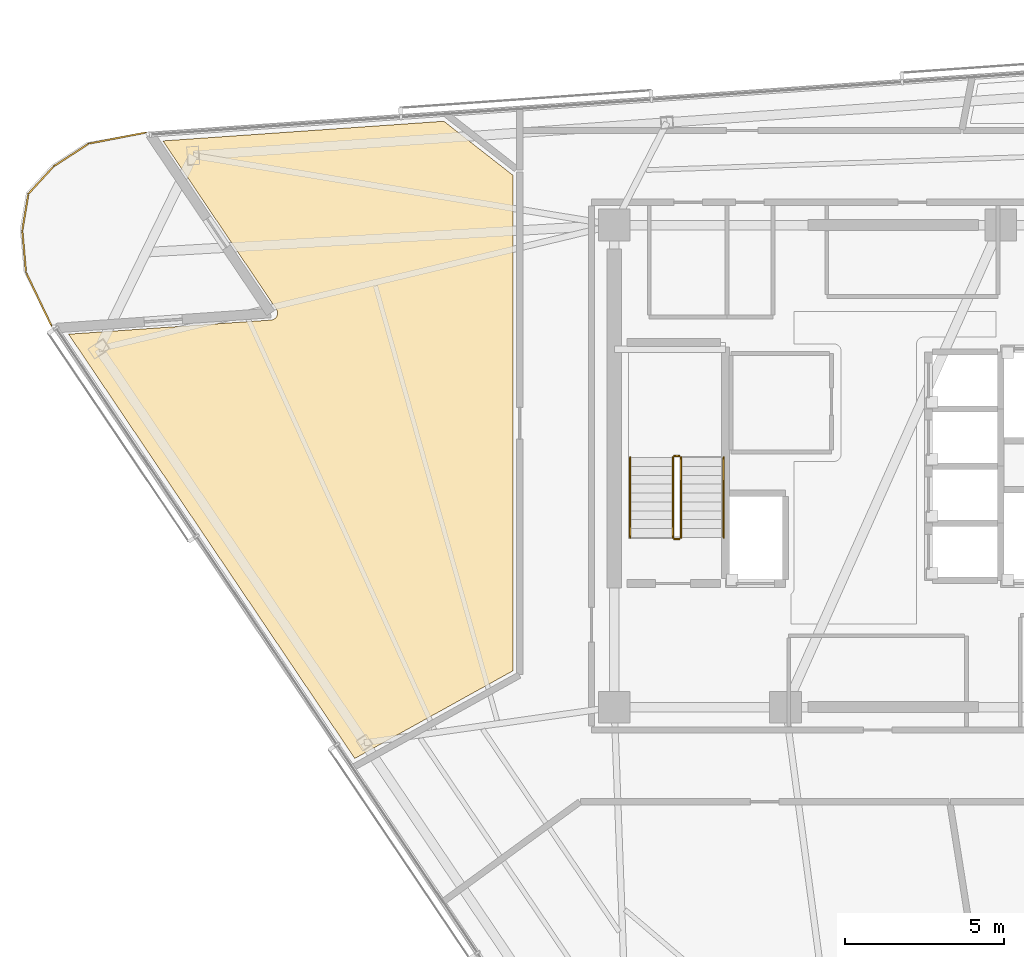
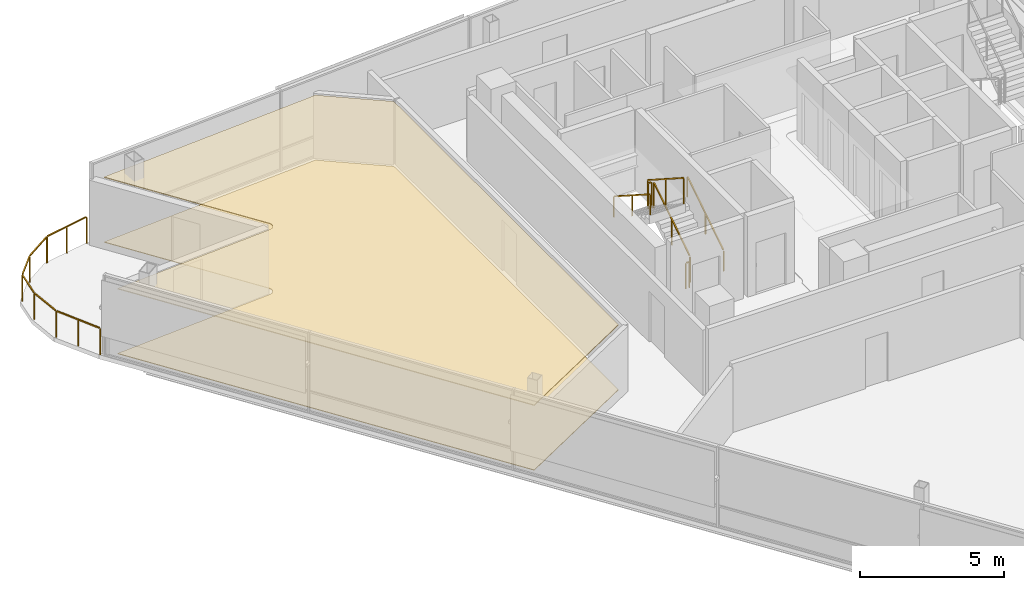
# One storey, part 13 of 15: 7 railings, 2 coverings.
"""IFC4 building model written with IfcOpenShell, lengths in metres."""

from ifc_helpers import new_model, si_unit, direction, frame, origin, origin_2d, place, context, subcontext, project, spatial, polyline, rectangle, outline, extrude, material, layer, layer_set, type_object, element, save


model = new_model("IFC4")

# Units and contexts
model_context = context("Model", 3, precision=1e-05, world=origin(), true_north=direction((0.0, 1.0)))
body_context = subcontext(model_context, "Body", "Model", "MODEL_VIEW")
ifc_project = project(units=[si_unit("LENGTHUNIT", "METRE"), si_unit("AREAUNIT", "SQUARE_METRE"), si_unit("VOLUMEUNIT", "CUBIC_METRE"), si_unit("PLANEANGLEUNIT", "RADIAN"), si_unit("MASSUNIT", "GRAM", prefix="KILO")], contexts=[model_context])

# Site, building, storey
site_placement = place(None, origin())
site = spatial("IfcSite", under=ifc_project, at=site_placement, CompositionType="ELEMENT")
building_placement = place(site_placement, origin())
building = spatial("IfcBuilding", under=site, at=building_placement, Name="Tharavind Bronze Gate", CompositionType="ELEMENT")
storey_placement = place(building_placement, frame((0.0, 0.0, 267.800048828125)))
storey = spatial("IfcBuildingStorey", under=building, at=storey_placement, Name="L69", CompositionType="ELEMENT", Elevation=267.800048828125)

# Coverings
ifc_material_1 = material(Name="Engineered Oak & Carpet Tile", Category="wood")
ifc_layer_1 = layer(ifc_material_1, 0.02490234375)
ifc_layer_set_1 = layer_set([ifc_layer_1], Name="Engineered Oak & Carpet Tile")
covering_type_1 = type_object("IfcCoveringType", Name="ENGINEERED TIMBER FLOORING", PredefinedType="FLOORING", material=ifc_layer_set_1)
covering_1_placement = place(storey_placement, origin())
element("IfcCovering", 1, at=covering_1_placement, inside=storey, type_object=covering_type_1, Name="L69-RM-03 floor finish", PredefinedType="FLOORING", context=body_context, shape_type="SweptSolid", body=[
    extrude(outline(polyline([(-17.08056640625, -9.21630859375), (-12.10009765625, -6.45556640625), (-12.10009765625, 9.17431640625), (-14.2734375, 10.87255859375), (-23.13037109375, 10.253173828125), (-19.552490234375, 4.94873046875), (-19.546630859375, 4.939453125), (-19.54638671875, 4.93896484375), (-19.535888671875, 4.919677734375), (-19.52734375, 4.8994140625), (-19.52099609375, 4.87841796875), (-19.516845703125, 4.85693359375), (-19.514892578125, 4.835205078125), (-19.514892578125, 4.813232421875), (-19.51708984375, 4.79150390625), (-19.521484375, 4.77001953125), (-19.5283203125, 4.7490234375), (-19.536865234375, 4.728759765625), (-19.54736328125, 4.709716796875), (-19.559814453125, 4.69140625), (-19.573974609375, 4.6748046875), (-19.58984375, 4.65966796875), (-19.60693359375, 4.64599609375), (-19.62548828125, 4.63427734375), (-19.64501953125, 4.624267578125), (-19.66552734375, 4.6162109375), (-19.686767578125, 4.610595703125), (-19.708251953125, 4.606689453125), (-19.708984375, 4.606689453125), (-19.7197265625, 4.605712890625), (-26.1025390625, 4.1591796875), (-17.08056640625, -9.21630859375)])), origin(), (0.0, 0.0, 1.0), 0.02490234375),
])
ifc_material_2 = material(Name="Acoustic Gypsum Board", Category="gypsum")
ifc_layer_2 = layer(ifc_material_2, 0.030029296875)
ifc_layer_set_2 = layer_set([ifc_layer_2], Name="Acoustic Gypsum Board")
covering_type_2 = type_object("IfcCoveringType", Name="GYPSUM SUSPENDED CEILING", PredefinedType="CEILING", material=ifc_layer_set_2)
covering_2_placement = place(storey_placement, frame((0.0, 0.0, 2.75)))
element("IfcCovering", 2, at=covering_2_placement, inside=storey, type_object=covering_type_2, Name="L69-RM-03 suspended ceiling", PredefinedType="CEILING", context=body_context, shape_type="SweptSolid", body=[
    extrude(outline(polyline([(-17.08056640625, -9.21630859375), (-12.10009765625, -6.45556640625), (-12.10009765625, 9.17431640625), (-14.2734375, 10.87255859375), (-23.13037109375, 10.253173828125), (-19.552490234375, 4.94873046875), (-19.546630859375, 4.939453125), (-19.54638671875, 4.93896484375), (-19.535888671875, 4.919677734375), (-19.52734375, 4.8994140625), (-19.52099609375, 4.87841796875), (-19.516845703125, 4.85693359375), (-19.514892578125, 4.835205078125), (-19.514892578125, 4.813232421875), (-19.51708984375, 4.79150390625), (-19.521484375, 4.77001953125), (-19.5283203125, 4.7490234375), (-19.536865234375, 4.728759765625), (-19.54736328125, 4.709716796875), (-19.559814453125, 4.69140625), (-19.573974609375, 4.6748046875), (-19.58984375, 4.65966796875), (-19.60693359375, 4.64599609375), (-19.62548828125, 4.63427734375), (-19.64501953125, 4.624267578125), (-19.66552734375, 4.6162109375), (-19.686767578125, 4.610595703125), (-19.708251953125, 4.606689453125), (-19.708984375, 4.606689453125), (-19.7197265625, 4.605712890625), (-26.1025390625, 4.1591796875), (-17.08056640625, -9.21630859375)])), origin(), (0.0, 0.0, 1.0), 0.034912109375),
])

# Railings
ifc_material_3 = material(Name="Brushed Bronze Alloy", Category="metal")
railing_type_1 = type_object("IfcRailingType", Name="STAIR BRONZE HANDRAIL 900", PredefinedType="HANDRAIL", material=ifc_material_3)
railing_1_placement = place(storey_placement, frame((-5.449951171875, -2.25, 0.179931640625)))
element("IfcRailing", 3, at=railing_1_placement, inside=storey, type_object=railing_type_1, Name="L69 ST1 stair handrail 1", PredefinedType="HANDRAIL", context=body_context, shape_type="SweptSolid", body=[
    extrude(rectangle(XDim=0.048095703125, YDim=0.048095703125, at=origin_2d()), frame((0.0, 0.02685546875, 0.89306640625), z_axis=(0.0, 0.841162588446, 0.540782303519), x_axis=(-1.0, 0.0, 0.0)), (0.0, 0.0, 1.0), 2.931884765625),
    extrude(rectangle(XDim=0.0400390625, YDim=0.0400390625, at=origin_2d()), origin(), (0.0, 0.0, 1.0), 0.847900390625),
    extrude(rectangle(XDim=0.0400390625, YDim=0.0400390625, at=origin_2d()), frame((0.0, 1.260009765625, 0.81005859375)), (0.0, 0.0, 1.0), 0.847900390625),
    extrude(rectangle(XDim=0.0400390625, YDim=0.0400390625, at=origin_2d()), frame((0.0, 2.52001953125, 1.6201171875)), (0.0, 0.0, 1.0), 0.847900390625),
])
railing_2_placement = place(storey_placement, frame((-8.39990234375, 0.27001953125, 1.97998046875)))
element("IfcRailing", 4, at=railing_2_placement, inside=storey, type_object=railing_type_1, Name="L69 ST1 stair handrail 2", PredefinedType="HANDRAIL", context=body_context, shape_type="SweptSolid", body=[
    extrude(rectangle(XDim=0.048095703125, YDim=0.048095703125, at=origin_2d()), frame((0.0, -0.02685546875, 0.89306640625), z_axis=(0.0, -0.841199657755, 0.540724639528), x_axis=(1.0, 0.0, 0.0)), (0.0, 0.0, 1.0), 2.931640625),
    extrude(rectangle(XDim=0.0400390625, YDim=0.0400390625, at=origin_2d()), origin(), (0.0, 0.0, 1.0), 0.847900390625),
    extrude(rectangle(XDim=0.0400390625, YDim=0.0400390625, at=origin_2d()), frame((0.0, -1.260009765625, 0.81005859375)), (0.0, 0.0, 1.0), 0.847900390625),
    extrude(rectangle(XDim=0.0400390625, YDim=0.0400390625, at=origin_2d()), frame((0.0, -2.52001953125, 1.619873046875)), (0.0, 0.0, 1.0), 0.847900390625),
])
railing_type_2 = type_object("IfcRailingType", Name="STAIR WELL GUARD RAILING 1120", PredefinedType="GUARDRAIL", material=ifc_material_3)
railing_3_placement = place(storey_placement, frame((-6.800048828125, -2.25, 0.179931640625)))
element("IfcRailing", 5, at=railing_3_placement, inside=storey, type_object=railing_type_2, Name="L69 ST1 stair guard 1", PredefinedType="GUARDRAIL", context=body_context, shape_type="SweptSolid", body=[
    extrude(rectangle(XDim=0.048095703125, YDim=0.048095703125, at=origin_2d()), frame((0.0, 0.02685546875, 1.11328125), z_axis=(0.0, 0.841162588446, 0.540782303519), x_axis=(-1.0, 0.0, 0.0)), (0.0, 0.0, 1.0), 2.931884765625),
    extrude(rectangle(XDim=0.0400390625, YDim=0.0400390625, at=origin_2d()), origin(), (0.0, 0.0, 1.0), 1.068115234375),
    extrude(rectangle(XDim=0.0400390625, YDim=0.0400390625, at=origin_2d()), frame((0.0, 1.260009765625, 0.81005859375)), (0.0, 0.0, 1.0), 1.068115234375),
    extrude(rectangle(XDim=0.0400390625, YDim=0.0400390625, at=origin_2d()), frame((0.0, 2.52001953125, 1.6201171875)), (0.0, 0.0, 1.0), 1.068115234375),
])
railing_4_placement = place(storey_placement, frame((-6.85009765625, 0.320068359375, 1.800048828125)))
element("IfcRailing", 6, at=railing_4_placement, inside=storey, type_object=railing_type_2, Name="L69 ST1 stair guard 2", PredefinedType="GUARDRAIL", context=body_context, shape_type="SweptSolid", body=[
    extrude(rectangle(XDim=0.048095703125, YDim=0.048095703125, at=origin_2d()), frame((-0.031982421875, 0.0, 1.09619140625), z_axis=(-1.0, 0.0, 0.0), x_axis=(0.0, -1.0, 0.0)), (0.0, 0.0, 1.0), 0.0859375),
    extrude(rectangle(XDim=0.0400390625, YDim=0.0400390625, at=origin_2d()), origin(), (0.0, 0.0, 1.0), 1.068115234375),
    extrude(rectangle(XDim=0.0400390625, YDim=0.0400390625, at=origin_2d()), frame((-0.14990234375, 0.0, 0.0)), (0.0, 0.0, 1.0), 1.068115234375),
])
railing_5_placement = place(storey_placement, frame((-7.050048828125, 0.27001953125, 1.97998046875)))
element("IfcRailing", 7, at=railing_5_placement, inside=storey, type_object=railing_type_2, Name="L69 ST1 stair guard 3", PredefinedType="GUARDRAIL", context=body_context, shape_type="SweptSolid", body=[
    extrude(rectangle(XDim=0.048095703125, YDim=0.048095703125, at=origin_2d()), frame((0.0, -0.02685546875, 1.11328125), z_axis=(0.0, -0.841199657755, 0.540724639528), x_axis=(1.0, 0.0, 0.0)), (0.0, 0.0, 1.0), 2.931640625),
    extrude(rectangle(XDim=0.0400390625, YDim=0.0400390625, at=origin_2d()), origin(), (0.0, 0.0, 1.0), 1.068115234375),
    extrude(rectangle(XDim=0.0400390625, YDim=0.0400390625, at=origin_2d()), frame((0.0, -1.260009765625, 0.81005859375)), (0.0, 0.0, 1.0), 1.068115234375),
    extrude(rectangle(XDim=0.0400390625, YDim=0.0400390625, at=origin_2d()), frame((0.0, -2.52001953125, 1.619873046875)), (0.0, 0.0, 1.0), 1.068115234375),
])
railing_6_placement = place(storey_placement, frame((-6.85009765625, -2.300048828125, 0.0)))
element("IfcRailing", 8, at=railing_6_placement, inside=storey, type_object=railing_type_2, Name="L69 ST1 stair guard 4", PredefinedType="GUARDRAIL", context=body_context, shape_type="SweptSolid", body=[
    extrude(rectangle(XDim=0.048095703125, YDim=0.048095703125, at=origin_2d()), frame((-0.031982421875, 0.0, 1.09619140625), z_axis=(-1.0, 0.0, 0.0), x_axis=(0.0, -1.0, 0.0)), (0.0, 0.0, 1.0), 0.0859375),
    extrude(rectangle(XDim=0.0400390625, YDim=0.0400390625, at=origin_2d()), origin(), (0.0, 0.0, 1.0), 1.068115234375),
    extrude(rectangle(XDim=0.0400390625, YDim=0.0400390625, at=origin_2d()), frame((-0.14990234375, 0.0, 0.0)), (0.0, 0.0, 1.0), 1.068115234375),
])
ifc_material_4 = material(Name="Bronze Cap & Laminated Glass", Category="glass")
railing_type_3 = type_object("IfcRailingType", Name="TERRACE GLASS GUARD RAILING 1150", PredefinedType="GUARDRAIL", material=ifc_material_4)
railing_7_placement = place(storey_placement, frame((-26.641845703125, 4.42236328125, 0.0)))
element("IfcRailing", 9, at=railing_7_placement, inside=storey, type_object=railing_type_3, Name="L69 tree balcony guard railing", PredefinedType="GUARDRAIL", context=body_context, shape_type="SweptSolid", body=[
    extrude(rectangle(XDim=0.048095703125, YDim=0.048095703125, at=origin_2d()), frame((-0.013671875, 0.02880859375, 1.1259765625), z_axis=(-0.430751391527, 0.902470630379, 0.0), x_axis=(-0.902470630379, -0.430751391527, 0.0)), (0.0, 0.0, 1.0), 1.80126953125),
    extrude(rectangle(XDim=0.048095703125, YDim=0.048095703125, at=origin_2d()), frame((-0.806396484375, 1.71533203125, 1.1259765625), z_axis=(-0.089334965903, 0.996001638486, 0.0), x_axis=(-0.996001638486, -0.089334965903, 0.0)), (0.0, 0.0, 1.0), 1.255859375),
    extrude(rectangle(XDim=0.048095703125, YDim=0.048095703125, at=origin_2d()), frame((-0.916259765625, 3.029541015625, 1.1259765625), z_axis=(0.162720183317, 0.986672256599, 0.0), x_axis=(-0.986672256599, 0.162720183317, 0.0)), (0.0, 0.0, 1.0), 1.115234375),
    extrude(rectangle(XDim=0.048095703125, YDim=0.048095703125, at=origin_2d()), frame((-0.707763671875, 4.18505859375, 1.1259765625), z_axis=(0.677316588689, 0.735691673656, 0.0), x_axis=(-0.735691673656, 0.677316588689, 0.0)), (0.0, 0.0, 1.0), 1.115478515625),
    extrude(rectangle(XDim=0.048095703125, YDim=0.048095703125, at=origin_2d()), frame((0.09619140625, 5.046630859375, 1.1259765625), z_axis=(0.839847920102, 0.542821767342, 0.0), x_axis=(-0.542821767342, 0.839847920102, 0.0)), (0.0, 0.0, 1.0), 1.256103515625),
    extrude(rectangle(XDim=0.048095703125, YDim=0.048095703125, at=origin_2d()), frame((1.20947265625, 5.751953125, 1.1259765625), z_axis=(0.98171467538, 0.190358336157, 0.0), x_axis=(-0.190358336157, 0.98171467538, 0.0)), (0.0, 0.0, 1.0), 1.763671875),
    extrude(rectangle(XDim=0.0400390625, YDim=0.0400390625, at=origin_2d()), origin(), (0.0, 0.0, 1.0), 1.097900390625),
    extrude(rectangle(XDim=0.0400390625, YDim=0.0400390625, at=origin_2d()), frame((-0.40185546875, 0.841796875, 0.0)), (0.0, 0.0, 1.0), 1.097900390625),
    extrude(rectangle(XDim=0.0400390625, YDim=0.0400390625, at=origin_2d()), frame((-0.803466796875, 1.683349609375, 0.0)), (0.0, 0.0, 1.0), 1.097900390625),
    extrude(rectangle(XDim=0.0400390625, YDim=0.0400390625, at=origin_2d()), frame((-0.92138671875, 2.998046875, 0.0)), (0.0, 0.0, 1.0), 1.097900390625),
    extrude(rectangle(XDim=0.0400390625, YDim=0.0400390625, at=origin_2d()), frame((-0.7294921875, 4.16162109375, 0.0)), (0.0, 0.0, 1.0), 1.097900390625),
    extrude(rectangle(XDim=0.0400390625, YDim=0.0400390625, at=origin_2d()), frame((0.0693359375, 5.029296875, 0.0)), (0.0, 0.0, 1.0), 1.097900390625),
    extrude(rectangle(XDim=0.0400390625, YDim=0.0400390625, at=origin_2d()), frame((1.177978515625, 5.745849609375, 0.0)), (0.0, 0.0, 1.0), 1.097900390625),
    extrude(rectangle(XDim=0.0400390625, YDim=0.0400390625, at=origin_2d()), frame((2.0751953125, 5.919921875, 0.0)), (0.0, 0.0, 1.0), 1.097900390625),
    extrude(rectangle(XDim=0.0400390625, YDim=0.0400390625, at=origin_2d()), frame((2.97216796875, 6.09375, 0.0)), (0.0, 0.0, 1.0), 1.097900390625),
])

save(model, "model.ifc")
